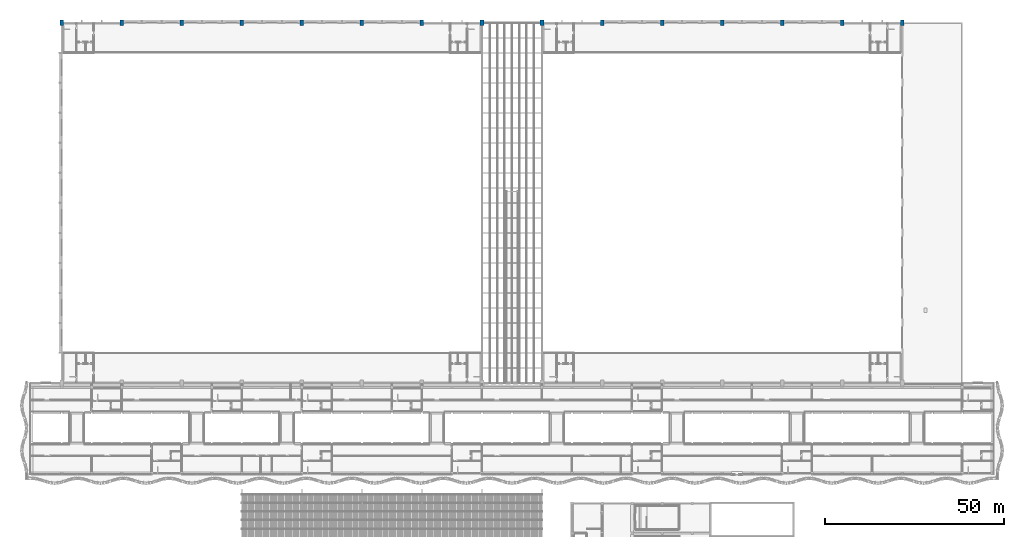
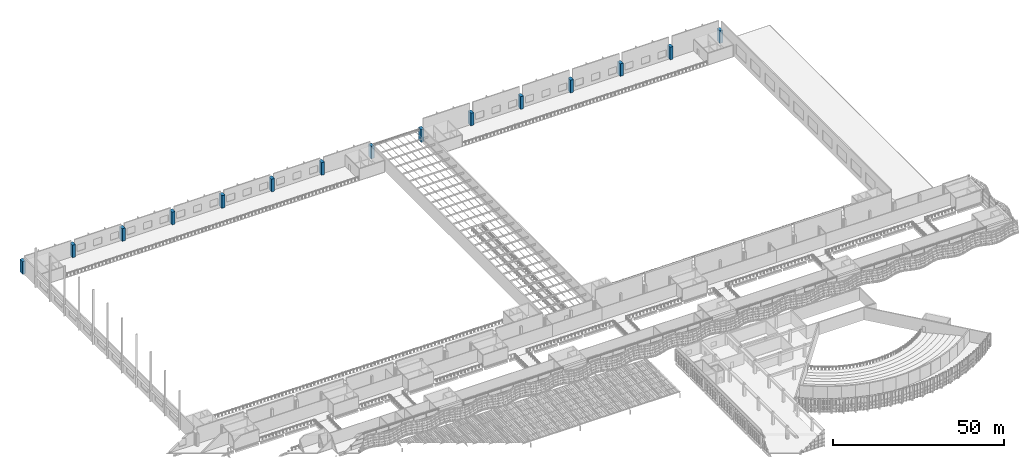
# One storey, part 14 of 162: 15 columns.
"""IFC4 building model written with IfcOpenShell, lengths in metres."""

from ifc_helpers import new_model, si_unit, direction, frame, origin, origin_2d, place, context, subcontext, project, spatial, rectangle, extrude, material, material_profile, profile_set, type_object, element, save


model = new_model("IFC4")

# Units and contexts
model_context = context("Model", 3, precision=1e-05, world=origin(), true_north=direction((0.0, 1.0)))
body_context = subcontext(model_context, "Body", "Model", "MODEL_VIEW")
ifc_project = project(units=[si_unit("LENGTHUNIT", "METRE"), si_unit("AREAUNIT", "SQUARE_METRE"), si_unit("VOLUMEUNIT", "CUBIC_METRE"), si_unit("PLANEANGLEUNIT", "RADIAN"), si_unit("MASSUNIT", "GRAM", prefix="KILO")], contexts=[model_context])

# Site, building, storey
site_placement = place(None, origin())
site = spatial("IfcSite", under=ifc_project, at=site_placement, CompositionType="ELEMENT")
building_placement = place(site_placement, origin())
building = spatial("IfcBuilding", under=site, at=building_placement, Name="Rain Tree Exposition and Congress Centre", CompositionType="ELEMENT")
storey_placement = place(building_placement, frame((0.0, 0.0, 6.0)))
storey = spatial("IfcBuildingStorey", under=building, at=storey_placement, Name="L01", CompositionType="ELEMENT", Elevation=6.0)

# Columns
ifc_material = material(Name="Precast concrete C50/60", Category="concrete")
ifc_material_profile = material_profile(ifc_material, rectangle(XDim=1.0, YDim=1.60009765625, at=origin_2d()), Name="RC 1000x1600")
ifc_profile_set = profile_set([ifc_material_profile], Name="Precast concrete C50/60")
column_type = type_object("IfcColumnType", Name="Precast column 1000x1600", PredefinedType="COLUMN", material=ifc_profile_set)
for number, where, z_axis, x_axis, name in (
    (1, (8.39990234375, 201.60009765625, 0.0), (0.0, 0.0, 1.0), (1.0, 0.0, 0.0), "Expressed column 9"),
    (2, (25.199951171875, 201.60009765625, 0.0), (0.0, 0.0, 1.0), (1.0, 0.0, 0.0), "Expressed column 10"),
    (3, (42.0, 201.60009765625, 0.0), (0.0, 0.0, 1.0), (1.0, 0.0, 0.0), "Expressed column 11"),
    (4, (58.800048828125, 201.60009765625, 0.0), (0.0, 0.0, 1.0), (1.0, 0.0, 0.0), "Expressed column 12"),
    (5, (75.60009765625, 201.60009765625, 0.0), (0.0, 0.0, 1.0), (1.0, 0.0, 0.0), "Expressed column 13"),
    (6, (92.39990234375, 201.60009765625, 0.0), (0.0, 0.0, 1.0), (1.0, 0.0, 0.0), "Expressed column 14"),
    (7, (109.199951171875, 201.60009765625, 0.0), (0.0, 0.0, 1.0), (1.0, 0.0, 0.0), "Expressed column 15"),
    (8, (126.0, 201.60009765625, 0.0), (0.0, 0.0, 1.0), (1.0, 0.0, 0.0), "Expressed column 16"),
    (9, (142.800048828125, 201.60009765625, 0.0), (0.0, 0.0, 1.0), (1.0, 0.0, 0.0), "Expressed column 8"),
    (10, (159.60009765625, 201.60009765625, 0.0), (0.0, 0.0, 1.0), (1.0, 0.0, 0.0), "Expressed column 9"),
    (11, (176.39990234375, 201.60009765625, 0.0), (0.0, 0.0, 1.0), (1.0, 0.0, 0.0), "Expressed column 10"),
    (12, (193.199951171875, 201.60009765625, 0.0), (0.0, 0.0, 1.0), (1.0, 0.0, 0.0), "Expressed column 11"),
    (13, (210.0, 201.60009765625, 0.0), (0.0, 0.0, 1.0), (1.0, 0.0, 0.0), "Expressed column 12"),
    (14, (226.800048828125, 201.60009765625, 0.0), (0.0, 0.0, 1.0), (1.0, 0.0, 0.0), "Expressed column 13"),
    (15, (243.60009765625, 201.60009765625, 0.0), (0.0, 0.0, 1.0), (1.0, 0.0, 0.0), "Expressed column 14"),
):
    element("IfcColumn", number, at=place(storey_placement, frame(where, z_axis=z_axis, x_axis=x_axis)), inside=storey, type_object=column_type, Name=name, PredefinedType="COLUMN", context=body_context, shape_type="SweptSolid", body=[
        extrude(rectangle(XDim=1.0, YDim=1.60009765625, at=origin_2d()), origin(), (0.0, 0.0, 1.0), 4.5),
    ])

save(model, "model.ifc")
